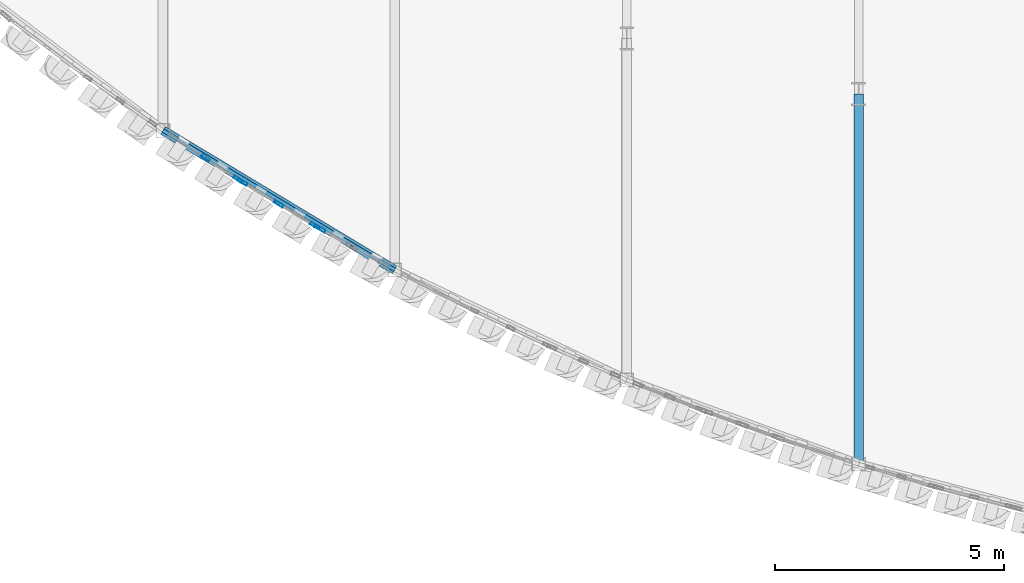
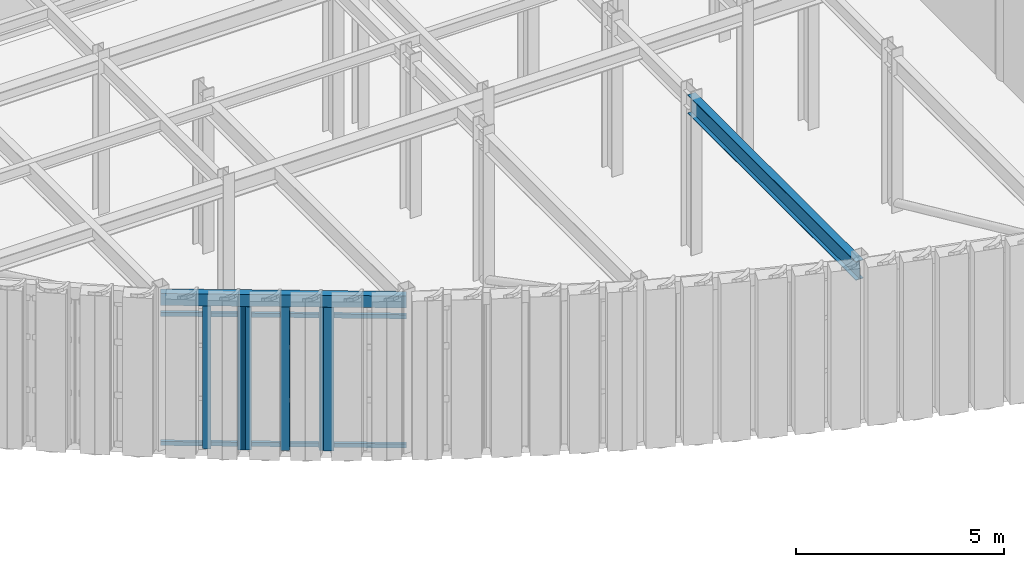
# One storey, part 19 of 121: 8 members, 2 beams, 3 elements without a shape of their own.
"""IFC4 building model written with IfcOpenShell, lengths in metres."""

from ifc_helpers import new_model, si_unit, direction, frame, origin, origin_2d, place, context, subcontext, project, spatial, hollow_rectangle, i_section, extrude, material, layer, layer_set, material_profile, profile_set, type_object, element, aggregate, save


model = new_model("IFC4")

# Units and contexts
model_context = context("Model", 3, precision=1e-05, world=origin(), true_north=direction((0.0, 1.0)))
body_context = subcontext(model_context, "Body", "Model", "MODEL_VIEW")
ifc_project = project(units=[si_unit("LENGTHUNIT", "METRE"), si_unit("AREAUNIT", "SQUARE_METRE"), si_unit("VOLUMEUNIT", "CUBIC_METRE"), si_unit("PLANEANGLEUNIT", "RADIAN"), si_unit("MASSUNIT", "GRAM", prefix="KILO")], contexts=[model_context])

# Site, building, storey
site_placement = place(None, origin())
site = spatial("IfcSite", under=ifc_project, at=site_placement, CompositionType="ELEMENT")
building_placement = place(site_placement, origin())
building = spatial("IfcBuilding", under=site, at=building_placement, Name="Solvadek Multi-Sports Hall", CompositionType="ELEMENT")
storey_placement = place(building_placement, frame((0.0, 0.0, 4.800048828125)))
storey = spatial("IfcBuildingStorey", under=building, at=storey_placement, Name="L01", CompositionType="ELEMENT", Elevation=4.800048828125)

# Curtain wall, members
ifc_material_1 = material(Name="Anodised aluminium", Category="aluminium")
ifc_layer_1 = layer(ifc_material_1, 0.159912109375, Name="Anodised aluminium")
ifc_layer_set_1 = layer_set([ifc_layer_1], Name="Anodised aluminium")
curtain_wall_type_1 = type_object("IfcCurtainWallType", Name="ENV-CW-174X420", PredefinedType="USERDEFINED", material=ifc_layer_set_1)
curtain_wall_1_placement = place(storey_placement, origin())
curtain_wall_1 = element("IfcCurtainWall", 1, at=curtain_wall_1_placement, inside=storey, type_object=curtain_wall_type_1, Name="L01 Crescent Curved Curtain Wall #25", ObjectType="CURTAIN WALL", PredefinedType="USERDEFINED")
ifc_material_profile_1 = material_profile(ifc_material_1, hollow_rectangle(XDim=0.06494140625, YDim=0.199951171875, WallThickness=0.0048828125, at=origin_2d()), Name="ALU-M 200x65x5")
ifc_profile_set_1 = profile_set([ifc_material_profile_1], Name="Anodised aluminium")
member_type_1 = type_object("IfcMemberType", Name="ENV-CWM-03", PredefinedType="MULLION", material=ifc_profile_set_1)
member_1_placement = place(storey_placement, frame((47.628662109375, -3.88232421875, 0.0), z_axis=(0.0, 0.0, 1.0), x_axis=(0.544061029929, 0.839045645786, 0.0)))
member_1 = element("IfcMember", 2, at=member_1_placement, type_object=member_type_1, Name="CW-12 mullion 2", PredefinedType="MULLION", context=body_context, shape_type="SweptSolid", body=[
    extrude(hollow_rectangle(XDim=0.06494140625, YDim=0.199951171875, WallThickness=0.0048828125, at=origin_2d()), origin(), (0.0, 0.0, 1.0), 4.199951171875),
])
member_2_placement = place(storey_placement, frame((48.33154296875, -4.338134765625, 0.0), z_axis=(0.0, 0.0, 1.0), x_axis=(0.544061029929, 0.839045645786, 0.0)))
member_2 = element("IfcMember", 3, at=member_2_placement, type_object=member_type_1, Name="CW-12 mullion 3", PredefinedType="MULLION", context=body_context, shape_type="SweptSolid", body=[
    extrude(hollow_rectangle(XDim=0.06494140625, YDim=0.199951171875, WallThickness=0.0048828125, at=origin_2d()), origin(), (0.0, 0.0, 1.0), 4.199951171875),
])
aggregate(curtain_wall_1, [member_1, member_2])

ifc_layer_2 = layer(ifc_material_1, 0.159912109375, Name="Anodised aluminium")
ifc_layer_set_2 = layer_set([ifc_layer_2], Name="Anodised aluminium")
curtain_wall_type_2 = type_object("IfcCurtainWallType", Name="ENV-CW-191X420", PredefinedType="USERDEFINED", material=ifc_layer_set_2)
curtain_wall_2_placement = place(storey_placement, origin())
curtain_wall_2 = element("IfcCurtainWall", 4, at=curtain_wall_2_placement, inside=storey, type_object=curtain_wall_type_2, Name="L01 Crescent Curved Curtain Wall #27", ObjectType="CURTAIN WALL", PredefinedType="USERDEFINED")
ifc_material_profile_2 = material_profile(ifc_material_1, hollow_rectangle(XDim=0.06494140625, YDim=0.219970703125, WallThickness=0.0048828125, at=origin_2d()), Name="ALU-M 220x65x5")
ifc_profile_set_2 = profile_set([ifc_material_profile_2], Name="Anodised aluminium")
member_type_2 = type_object("IfcMemberType", Name="ENV-CWM-04", PredefinedType="MULLION", material=ifc_profile_set_2)
member_3_placement = place(storey_placement, frame((48.4375, -4.404296875, 0.0), z_axis=(0.0, 0.0, 1.0), x_axis=(0.515058308995, 0.857155142512, 0.0)))
member_3 = element("IfcMember", 5, at=member_3_placement, type_object=member_type_2, Name="CW-13 mullion 1", PredefinedType="MULLION", context=body_context, shape_type="SweptSolid", body=[
    extrude(hollow_rectangle(XDim=0.06494140625, YDim=0.219970703125, WallThickness=0.0048828125, at=origin_2d()), origin(), (0.0, 0.0, 1.0), 4.199951171875),
])
member_4_placement = place(storey_placement, frame((49.227294921875, -4.87890625, 0.0), z_axis=(0.0, 0.0, 1.0), x_axis=(0.515058308995, 0.857155142512, 0.0)))
member_4 = element("IfcMember", 6, at=member_4_placement, type_object=member_type_2, Name="CW-13 mullion 2", PredefinedType="MULLION", context=body_context, shape_type="SweptSolid", body=[
    extrude(hollow_rectangle(XDim=0.06494140625, YDim=0.219970703125, WallThickness=0.0048828125, at=origin_2d()), origin(), (0.0, 0.0, 1.0), 4.199951171875),
])
member_5_placement = place(storey_placement, frame((50.01708984375, -5.353515625, 0.0), z_axis=(0.0, 0.0, 1.0), x_axis=(0.515058308995, 0.857155142512, 0.0)))
member_5 = element("IfcMember", 7, at=member_5_placement, type_object=member_type_2, Name="CW-13 mullion 3", PredefinedType="MULLION", context=body_context, shape_type="SweptSolid", body=[
    extrude(hollow_rectangle(XDim=0.06494140625, YDim=0.219970703125, WallThickness=0.0048828125, at=origin_2d()), origin(), (0.0, 0.0, 1.0), 4.199951171875),
])
aggregate(curtain_wall_2, [member_3, member_4, member_5])

# Curtain wall, member
ifc_layer_3 = layer(ifc_material_1, 0.159912109375, Name="Anodised aluminium")
ifc_layer_set_3 = layer_set([ifc_layer_3], Name="Anodised aluminium")
curtain_wall_type_3 = type_object("IfcCurtainWallType", Name="ENV-CW-166X420", PredefinedType="USERDEFINED", material=ifc_layer_set_3)
curtain_wall_3_placement = place(storey_placement, origin())
curtain_wall_3 = element("IfcCurtainWall", 8, at=curtain_wall_3_placement, inside=storey, type_object=curtain_wall_type_3, Name="L01 Crescent Curved Curtain Wall #29", ObjectType="CURTAIN WALL", PredefinedType="USERDEFINED")
ifc_material_profile_3 = material_profile(ifc_material_1, hollow_rectangle(XDim=0.070068359375, YDim=0.25, WallThickness=0.0048828125, at=origin_2d()), Name="ALU-M 250x70x5")
ifc_profile_set_3 = profile_set([ifc_material_profile_3], Name="Anodised aluminium")
member_type_3 = type_object("IfcMemberType", Name="ENV-CWM-05", PredefinedType="MULLION", material=ifc_profile_set_3)
member_6_placement = place(storey_placement, frame((50.12744140625, -5.41748046875, 0.0), z_axis=(0.0, 0.0, 1.0), x_axis=(0.486005981468, 0.873955482835, 0.0)))
member_6 = element("IfcMember", 9, at=member_6_placement, type_object=member_type_3, Name="CW-14 mullion 1", PredefinedType="MULLION", context=body_context, shape_type="SweptSolid", body=[
    extrude(hollow_rectangle(XDim=0.070068359375, YDim=0.25, WallThickness=0.0048828125, at=origin_2d()), origin(), (0.0, 0.0, 1.0), 4.199951171875),
])
aggregate(curtain_wall_3, [member_6])

# Beams
ifc_material_2 = material(Name="Steel E350 (350 MPa)", Category="steel")
ifc_material_profile_4 = material_profile(ifc_material_2, i_section(OverallWidth=0.2099609375, OverallDepth=0.550048828125, WebThickness=0.010986328125, FlangeThickness=0.01708984375, at=origin_2d()), Name="NPB 550")
ifc_profile_set_4 = profile_set([ifc_material_profile_4], Name="Steel E350 (350 MPa)")
beam_type_1 = type_object("IfcBeamType", Name="STR-BM-NPB550", PredefinedType="BEAM", material=ifc_profile_set_4)
beam_1_placement = place(storey_placement, frame((61.87890625, -10.562744140625, 4.284912109375), z_axis=(0.0, 1.0, 0.0), x_axis=(-1.0, 0.0, 0.0)))
element("IfcBeam", 10, at=beam_1_placement, inside=storey, type_object=beam_type_1, Name="L01 Girder B-05 #1224", PredefinedType="BEAM", context=body_context, shape_type="SweptSolid", body=[
    extrude(i_section(OverallWidth=0.2099609375, OverallDepth=0.550048828125, WebThickness=0.010986328125, FlangeThickness=0.01708984375, at=origin_2d()), origin(), (0.0, 0.0, 1.0), 8.079345703125),
])
ifc_material_profile_5 = material_profile(ifc_material_2, hollow_rectangle(XDim=0.199951171875, YDim=0.35009765625, WallThickness=0.011962890625, at=origin_2d()), Name="RHS 350x200x12")
ifc_profile_set_5 = profile_set([ifc_material_profile_5], Name="Steel E350 (350 MPa)")
beam_type_2 = type_object("IfcBeamType", Name="STR-SPN-RHS350", PredefinedType="SPANDREL", material=ifc_profile_set_5)
beam_2_placement = place(storey_placement, frame((46.697021484375, -3.2783203125, 4.385009765625), z_axis=(0.856795520419, -0.51565631596, 0.0), x_axis=(0.51565631596, 0.856795520419, 0.0)))
element("IfcBeam", 11, at=beam_2_placement, inside=storey, type_object=beam_type_2, Name="L01 Curved Crescent Spandrel #43", PredefinedType="SPANDREL", context=body_context, shape_type="SweptSolid", body=[
    extrude(hollow_rectangle(XDim=0.199951171875, YDim=0.35009765625, WallThickness=0.011962890625, at=origin_2d()), origin(), (0.0, 0.0, 1.0), 5.90625),
])

# Members
ifc_material_3 = material(Name="Steel E250 (250 MPa)", Category="steel")
ifc_material_profile_6 = material_profile(ifc_material_3, hollow_rectangle(XDim=0.080078125, YDim=0.1201171875, WallThickness=0.006103515625, at=origin_2d()), Name="RHS 120x80x6")
ifc_profile_set_6 = profile_set([ifc_material_profile_6], Name="Steel E250 (250 MPa)")
member_type_4 = type_object("IfcMemberType", Name="STR-STD-RHS120", PredefinedType="STUD", material=ifc_profile_set_6)
for number, where, z_axis, x_axis, name in (
    (12, (46.697021484375, -3.2783203125, 0.119873046875), (0.856795520419, -0.51565631596, 0.0), (0.51565631596, 0.856795520419, 0.0), "L01 Flute Subframe Rail W-5 bot"),
    (13, (46.697021484375, -3.2783203125, 3.909912109375), (0.856795520419, -0.51565631596, 0.0), (0.51565631596, 0.856795520419, 0.0), "L01 Flute Subframe Rail W-5 top"),
):
    element("IfcMember", number, at=place(storey_placement, frame(where, z_axis=z_axis, x_axis=x_axis)), inside=storey, type_object=member_type_4, Name=name, PredefinedType="STUD", context=body_context, shape_type="SweptSolid", body=[
        extrude(hollow_rectangle(XDim=0.080078125, YDim=0.1201171875, WallThickness=0.006103515625, at=origin_2d()), origin(), (0.0, 0.0, 1.0), 5.90625),
    ])

save(model, "model.ifc")
